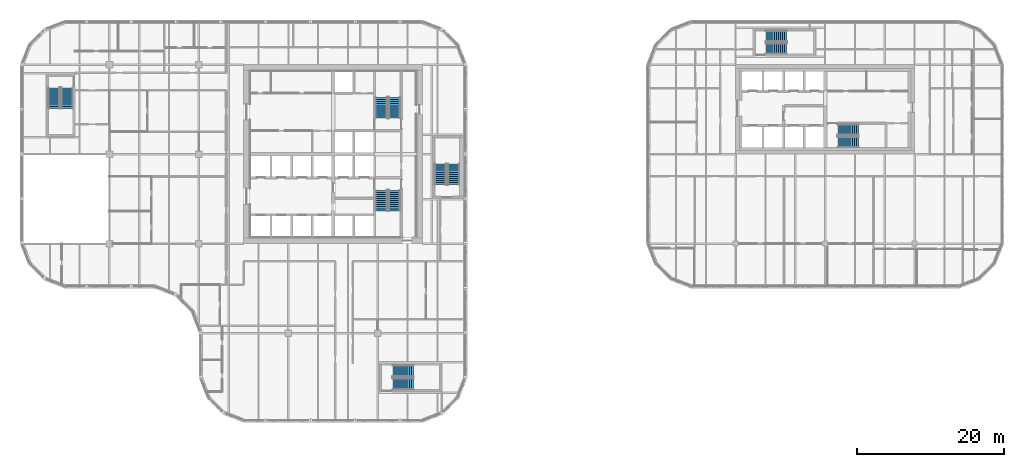
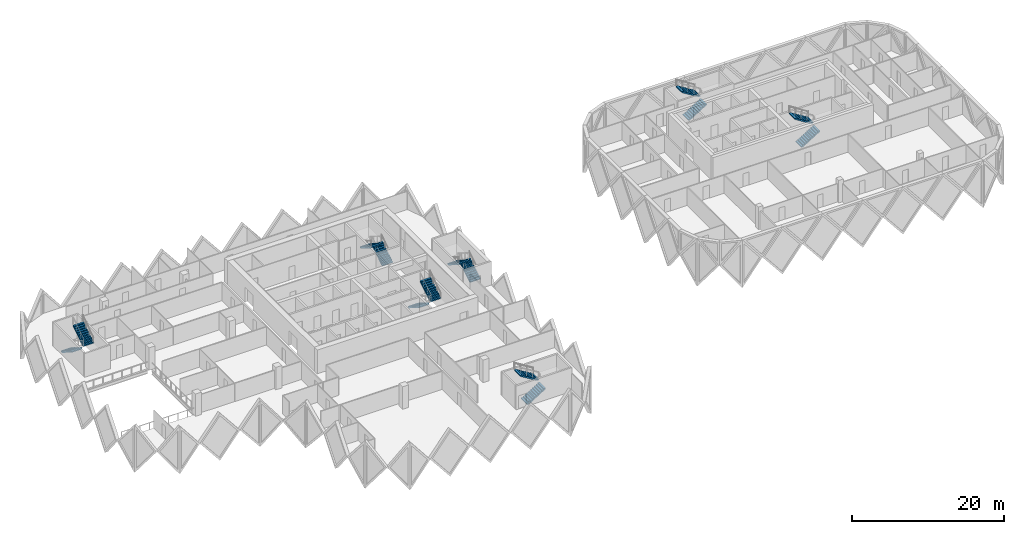
# One storey, part 19 of 21: 14 stair flights, 7 elements without a shape of their own.
"""IFC4 building model written with IfcOpenShell, lengths in metres."""

from ifc_helpers import new_model, si_unit, direction, frame, origin, place, context, subcontext, project, spatial, polyline, outline, extrude, material, type_object, element, aggregate, save


model = new_model("IFC4")

# Units and contexts
model_context = context("Model", 3, precision=1e-05, world=origin(), true_north=direction((0.0, 1.0)))
body_context = subcontext(model_context, "Body", "Model", "MODEL_VIEW")
ifc_project = project(units=[si_unit("LENGTHUNIT", "METRE"), si_unit("AREAUNIT", "SQUARE_METRE"), si_unit("VOLUMEUNIT", "CUBIC_METRE"), si_unit("PLANEANGLEUNIT", "RADIAN"), si_unit("MASSUNIT", "GRAM", prefix="KILO")], contexts=[model_context])

# Site, building, storey
site_placement = place(None, origin())
site = spatial("IfcSite", under=ifc_project, at=site_placement, CompositionType="ELEMENT")
building_placement = place(site_placement, origin())
building = spatial("IfcBuilding", under=site, at=building_placement, Name="Tessera Gate Towers", CompositionType="ELEMENT")
storey_placement = place(building_placement, frame((0.0, 0.0, 91.39990234375)))
storey = spatial("IfcBuildingStorey", under=building, at=storey_placement, Name="L22", CompositionType="ELEMENT", Elevation=91.39990234375)

# Stair, stair flights
ifc_material_1 = material(Name="Concrete C40/50", Category="concrete")
stair_type_1 = type_object("IfcStairType", Name="EXIT STAIR ST1 1600", PredefinedType="HALF_TURN_STAIR", material=ifc_material_1)
stair_1_placement = place(storey_placement, origin())
stair_1 = element("IfcStair", 1, at=stair_1_placement, inside=storey, type_object=stair_type_1, Name="L22 Protected Exit Stair ST1", PredefinedType="HALF_TURN_STAIR")
ifc_material_2 = material(Name="Concrete C40/50", Category="concrete")
stair_flight_type_1 = type_object("IfcStairFlightType", Name="EXIT STAIR FLIGHT ST1 1600", PredefinedType="STRAIGHT", material=ifc_material_2)
stair_flight_1_placement = place(storey_placement, frame((49.27490234375, 31.675048828125, 0.0), z_axis=(0.0, 0.0, 1.0), x_axis=(0.0, -1.0, 0.0)))
stair_flight_1 = element("IfcStairFlight", 2, at=stair_flight_1_placement, type_object=stair_flight_type_1, Name="ST1 flight 1", NumberOfRisers=11, NumberOfTreads=10, PredefinedType="STRAIGHT", RiserHeight=0.172727273, TreadLength=0.28, context=body_context, shape_type="SweptSolid", body=[
    extrude(outline(polyline([(0.0, 0.0), (0.0, 0.172607421875), (0.280029296875, 0.172607421875), (0.280029296875, 0.345458984375), (0.56005859375, 0.345458984375), (0.56005859375, 0.51806640625), (0.840087890625, 0.51806640625), (0.840087890625, 0.69091796875), (1.1201171875, 0.69091796875), (1.1201171875, 0.863525390625), (1.39990234375, 0.863525390625), (1.39990234375, 1.036376953125), (1.679931640625, 1.036376953125), (1.679931640625, 1.208984375), (1.9599609375, 1.208984375), (1.9599609375, 1.3818359375), (2.239990234375, 1.3818359375), (2.239990234375, 1.554443359375), (2.52001953125, 1.554443359375), (2.52001953125, 1.727294921875), (2.800048828125, 1.727294921875), (2.800048828125, 1.89990234375), (2.800048828125, 1.551025390625), (0.285400390625, 0.0), (0.0, 0.0)])), frame((0.0, 0.800048828125, 0.0), z_axis=(0.0, -1.0, 0.0), x_axis=(1.0, 0.0, 0.0)), (0.0, 0.0, 1.0), 1.60009765625),
])
stair_flight_2_placement = place(storey_placement, frame((51.074951171875, 28.875, 1.900146484375), z_axis=(0.0, 0.0, 1.0), x_axis=(0.0, 1.0, 0.0)))
stair_flight_2 = element("IfcStairFlight", 3, at=stair_flight_2_placement, type_object=stair_flight_type_1, Name="ST1 flight 2", NumberOfRisers=11, NumberOfTreads=10, PredefinedType="STRAIGHT", RiserHeight=0.172727273, TreadLength=0.28, context=body_context, shape_type="SweptSolid", body=[
    extrude(outline(polyline([(0.0, 0.0), (0.0, 0.172607421875), (0.280029296875, 0.172607421875), (0.280029296875, 0.345458984375), (0.56005859375, 0.345458984375), (0.56005859375, 0.51806640625), (0.840087890625, 0.51806640625), (0.840087890625, 0.69091796875), (1.1201171875, 0.69091796875), (1.1201171875, 0.863525390625), (1.39990234375, 0.863525390625), (1.39990234375, 1.036376953125), (1.679931640625, 1.036376953125), (1.679931640625, 1.208984375), (1.9599609375, 1.208984375), (1.9599609375, 1.3818359375), (2.239990234375, 1.3818359375), (2.239990234375, 1.554443359375), (2.52001953125, 1.554443359375), (2.52001953125, 1.727294921875), (2.800048828125, 1.727294921875), (2.800048828125, 1.89990234375), (2.800048828125, 1.551025390625), (0.285400390625, 0.0), (0.0, 0.0)])), frame((0.0, 0.800048828125, 0.0), z_axis=(0.0, -1.0, 0.0), x_axis=(1.0, 0.0, 0.0)), (0.0, 0.0, 1.0), 1.60009765625),
])
aggregate(stair_1, [stair_flight_1, stair_flight_2])

ifc_material_3 = material(Name="Concrete C40/50", Category="concrete")
stair_type_2 = type_object("IfcStairType", Name="EXIT STAIR ST2 1600", PredefinedType="HALF_TURN_STAIR", material=ifc_material_3)
stair_2_placement = place(storey_placement, origin())
stair_2 = element("IfcStair", 4, at=stair_2_placement, inside=storey, type_object=stair_type_2, Name="L22 Protected Exit Stair ST2", PredefinedType="HALF_TURN_STAIR")
ifc_material_4 = material(Name="Concrete C40/50", Category="concrete")
stair_flight_type_2 = type_object("IfcStairFlightType", Name="EXIT STAIR FLIGHT ST2 1600", PredefinedType="STRAIGHT", material=ifc_material_4)
stair_flight_3_placement = place(storey_placement, frame((51.074951171875, 41.52490234375, 0.0), z_axis=(0.0, 0.0, 1.0), x_axis=(0.0, 1.0, 0.0)))
stair_flight_3 = element("IfcStairFlight", 5, at=stair_flight_3_placement, type_object=stair_flight_type_2, Name="ST2 flight 1", NumberOfRisers=11, NumberOfTreads=10, PredefinedType="STRAIGHT", RiserHeight=0.172727273, TreadLength=0.28, context=body_context, shape_type="SweptSolid", body=[
    extrude(outline(polyline([(0.0, 0.0), (0.0, 0.172607421875), (0.280029296875, 0.172607421875), (0.280029296875, 0.345458984375), (0.56005859375, 0.345458984375), (0.56005859375, 0.51806640625), (0.840087890625, 0.51806640625), (0.840087890625, 0.69091796875), (1.1201171875, 0.69091796875), (1.1201171875, 0.863525390625), (1.39990234375, 0.863525390625), (1.39990234375, 1.036376953125), (1.679931640625, 1.036376953125), (1.679931640625, 1.208984375), (1.9599609375, 1.208984375), (1.9599609375, 1.3818359375), (2.239990234375, 1.3818359375), (2.239990234375, 1.554443359375), (2.52001953125, 1.554443359375), (2.52001953125, 1.727294921875), (2.800048828125, 1.727294921875), (2.800048828125, 1.89990234375), (2.800048828125, 1.551025390625), (0.285400390625, 0.0), (0.0, 0.0)])), frame((0.0, 0.800048828125, 0.0), z_axis=(0.0, -1.0, 0.0), x_axis=(1.0, 0.0, 0.0)), (0.0, 0.0, 1.0), 1.60009765625),
])
stair_flight_4_placement = place(storey_placement, frame((49.27490234375, 44.324951171875, 1.900146484375), z_axis=(0.0, 0.0, 1.0), x_axis=(0.0, -1.0, 0.0)))
stair_flight_4 = element("IfcStairFlight", 6, at=stair_flight_4_placement, type_object=stair_flight_type_2, Name="ST2 flight 2", NumberOfRisers=11, NumberOfTreads=10, PredefinedType="STRAIGHT", RiserHeight=0.172727273, TreadLength=0.28, context=body_context, shape_type="SweptSolid", body=[
    extrude(outline(polyline([(0.0, 0.0), (0.0, 0.172607421875), (0.280029296875, 0.172607421875), (0.280029296875, 0.345458984375), (0.56005859375, 0.345458984375), (0.56005859375, 0.51806640625), (0.840087890625, 0.51806640625), (0.840087890625, 0.69091796875), (1.1201171875, 0.69091796875), (1.1201171875, 0.863525390625), (1.39990234375, 0.863525390625), (1.39990234375, 1.036376953125), (1.679931640625, 1.036376953125), (1.679931640625, 1.208984375), (1.9599609375, 1.208984375), (1.9599609375, 1.3818359375), (2.239990234375, 1.3818359375), (2.239990234375, 1.554443359375), (2.52001953125, 1.554443359375), (2.52001953125, 1.727294921875), (2.800048828125, 1.727294921875), (2.800048828125, 1.89990234375), (2.800048828125, 1.551025390625), (0.285400390625, 0.0), (0.0, 0.0)])), frame((0.0, 0.800048828125, 0.0), z_axis=(0.0, -1.0, 0.0), x_axis=(1.0, 0.0, 0.0)), (0.0, 0.0, 1.0), 1.60009765625),
])
aggregate(stair_2, [stair_flight_3, stair_flight_4])

ifc_material_5 = material(Name="Concrete C40/50", Category="concrete")
stair_type_3 = type_object("IfcStairType", Name="EXIT STAIR ST3 1600", PredefinedType="HALF_TURN_STAIR", material=ifc_material_5)
stair_3_placement = place(storey_placement, origin())
stair_3 = element("IfcStair", 7, at=stair_3_placement, inside=storey, type_object=stair_type_3, Name="L22 West Exit Stair ST3", PredefinedType="HALF_TURN_STAIR")
ifc_material_6 = material(Name="Concrete C40/50", Category="concrete")
stair_flight_type_3 = type_object("IfcStairFlightType", Name="EXIT STAIR FLIGHT ST3 1600", PredefinedType="STRAIGHT", material=ifc_material_6)
stair_flight_5_placement = place(storey_placement, frame((4.64990234375, 45.64990234375, 0.0), z_axis=(0.0, 0.0, 1.0), x_axis=(0.0, -1.0, 0.0)))
stair_flight_5 = element("IfcStairFlight", 8, at=stair_flight_5_placement, type_object=stair_flight_type_3, Name="ST3 flight 1", NumberOfRisers=11, NumberOfTreads=10, PredefinedType="STRAIGHT", RiserHeight=0.172727273, TreadLength=0.28, context=body_context, shape_type="SweptSolid", body=[
    extrude(outline(polyline([(0.0, 0.0), (0.0, 0.172607421875), (0.280029296875, 0.172607421875), (0.280029296875, 0.345458984375), (0.56005859375, 0.345458984375), (0.56005859375, 0.51806640625), (0.840087890625, 0.51806640625), (0.840087890625, 0.69091796875), (1.1201171875, 0.69091796875), (1.1201171875, 0.863525390625), (1.39990234375, 0.863525390625), (1.39990234375, 1.036376953125), (1.679931640625, 1.036376953125), (1.679931640625, 1.208984375), (1.9599609375, 1.208984375), (1.9599609375, 1.3818359375), (2.239990234375, 1.3818359375), (2.239990234375, 1.554443359375), (2.52001953125, 1.554443359375), (2.52001953125, 1.727294921875), (2.800048828125, 1.727294921875), (2.800048828125, 1.89990234375), (2.800048828125, 1.551025390625), (0.285400390625, 0.0), (0.0, 0.0)])), frame((0.0, 0.800048828125, 0.0), z_axis=(0.0, -1.0, 0.0), x_axis=(1.0, 0.0, 0.0)), (0.0, 0.0, 1.0), 1.60009765625),
])
stair_flight_6_placement = place(storey_placement, frame((6.449951171875, 42.85009765625, 1.900146484375), z_axis=(0.0, 0.0, 1.0), x_axis=(0.0, 1.0, 0.0)))
stair_flight_6 = element("IfcStairFlight", 9, at=stair_flight_6_placement, type_object=stair_flight_type_3, Name="ST3 flight 2", NumberOfRisers=11, NumberOfTreads=10, PredefinedType="STRAIGHT", RiserHeight=0.172727273, TreadLength=0.28, context=body_context, shape_type="SweptSolid", body=[
    extrude(outline(polyline([(0.0, 0.0), (0.0, 0.172607421875), (0.280029296875, 0.172607421875), (0.280029296875, 0.345458984375), (0.56005859375, 0.345458984375), (0.56005859375, 0.51806640625), (0.840087890625, 0.51806640625), (0.840087890625, 0.69091796875), (1.1201171875, 0.69091796875), (1.1201171875, 0.863525390625), (1.39990234375, 0.863525390625), (1.39990234375, 1.036376953125), (1.679931640625, 1.036376953125), (1.679931640625, 1.208984375), (1.9599609375, 1.208984375), (1.9599609375, 1.3818359375), (2.239990234375, 1.3818359375), (2.239990234375, 1.554443359375), (2.52001953125, 1.554443359375), (2.52001953125, 1.727294921875), (2.800048828125, 1.727294921875), (2.800048828125, 1.89990234375), (2.800048828125, 1.551025390625), (0.285400390625, 0.0), (0.0, 0.0)])), frame((0.0, 0.800048828125, 0.0), z_axis=(0.0, -1.0, 0.0), x_axis=(1.0, 0.0, 0.0)), (0.0, 0.0, 1.0), 1.60009765625),
])
aggregate(stair_3, [stair_flight_5, stair_flight_6])

ifc_material_7 = material(Name="Concrete C40/50", Category="concrete")
stair_type_4 = type_object("IfcStairType", Name="EXIT STAIR ST4 1600", PredefinedType="HALF_TURN_STAIR", material=ifc_material_7)
stair_4_placement = place(storey_placement, origin())
stair_4 = element("IfcStair", 10, at=stair_4_placement, inside=storey, type_object=stair_type_4, Name="L22 South Exit Stair ST4", PredefinedType="HALF_TURN_STAIR")
ifc_material_8 = material(Name="Concrete C40/50", Category="concrete")
stair_flight_type_4 = type_object("IfcStairFlightType", Name="EXIT STAIR FLIGHT ST4 1600", PredefinedType="STRAIGHT", material=ifc_material_8)
stair_flight_7_placement = place(storey_placement, frame((50.85009765625, 5.25, 0.0), z_axis=(0.0, 0.0, 1.0), x_axis=(1.0, 0.0, 0.0)))
stair_flight_7 = element("IfcStairFlight", 11, at=stair_flight_7_placement, type_object=stair_flight_type_4, Name="ST4 flight 1", NumberOfRisers=11, NumberOfTreads=10, PredefinedType="STRAIGHT", RiserHeight=0.172727273, TreadLength=0.28, context=body_context, shape_type="SweptSolid", body=[
    extrude(outline(polyline([(0.0, 0.0), (0.0, 0.172607421875), (0.280029296875, 0.172607421875), (0.280029296875, 0.345458984375), (0.56005859375, 0.345458984375), (0.56005859375, 0.51806640625), (0.840087890625, 0.51806640625), (0.840087890625, 0.69091796875), (1.1201171875, 0.69091796875), (1.1201171875, 0.863525390625), (1.39990234375, 0.863525390625), (1.39990234375, 1.036376953125), (1.679931640625, 1.036376953125), (1.679931640625, 1.208984375), (1.9599609375, 1.208984375), (1.9599609375, 1.3818359375), (2.239990234375, 1.3818359375), (2.239990234375, 1.554443359375), (2.52001953125, 1.554443359375), (2.52001953125, 1.727294921875), (2.800048828125, 1.727294921875), (2.800048828125, 1.89990234375), (2.800048828125, 1.551025390625), (0.285400390625, 0.0), (0.0, 0.0)])), frame((0.0, 0.800048828125, 0.0), z_axis=(0.0, -1.0, 0.0), x_axis=(1.0, 0.0, 0.0)), (0.0, 0.0, 1.0), 1.60009765625),
])
stair_flight_8_placement = place(storey_placement, frame((53.64990234375, 7.050048828125, 1.900146484375), z_axis=(0.0, 0.0, 1.0), x_axis=(-1.0, 0.0, 0.0)))
stair_flight_8 = element("IfcStairFlight", 12, at=stair_flight_8_placement, type_object=stair_flight_type_4, Name="ST4 flight 2", NumberOfRisers=11, NumberOfTreads=10, PredefinedType="STRAIGHT", RiserHeight=0.172727273, TreadLength=0.28, context=body_context, shape_type="SweptSolid", body=[
    extrude(outline(polyline([(0.0, 0.0), (0.0, 0.172607421875), (0.280029296875, 0.172607421875), (0.280029296875, 0.345458984375), (0.56005859375, 0.345458984375), (0.56005859375, 0.51806640625), (0.840087890625, 0.51806640625), (0.840087890625, 0.69091796875), (1.1201171875, 0.69091796875), (1.1201171875, 0.863525390625), (1.39990234375, 0.863525390625), (1.39990234375, 1.036376953125), (1.679931640625, 1.036376953125), (1.679931640625, 1.208984375), (1.9599609375, 1.208984375), (1.9599609375, 1.3818359375), (2.239990234375, 1.3818359375), (2.239990234375, 1.554443359375), (2.52001953125, 1.554443359375), (2.52001953125, 1.727294921875), (2.800048828125, 1.727294921875), (2.800048828125, 1.89990234375), (2.800048828125, 1.551025390625), (0.285400390625, 0.0), (0.0, 0.0)])), frame((0.0, 0.800048828125, 0.0), z_axis=(0.0, -1.0, 0.0), x_axis=(1.0, 0.0, 0.0)), (0.0, 0.0, 1.0), 1.60009765625),
])
aggregate(stair_4, [stair_flight_7, stair_flight_8])

ifc_material_9 = material(Name="Concrete C40/50", Category="concrete")
stair_type_5 = type_object("IfcStairType", Name="EXIT STAIR ST5 1600", PredefinedType="HALF_TURN_STAIR", material=ifc_material_9)
stair_5_placement = place(storey_placement, origin())
stair_5 = element("IfcStair", 13, at=stair_5_placement, inside=storey, type_object=stair_type_5, Name="L22 East Exit Stair ST5", PredefinedType="HALF_TURN_STAIR")
ifc_material_10 = material(Name="Concrete C40/50", Category="concrete")
stair_flight_type_5 = type_object("IfcStairFlightType", Name="EXIT STAIR FLIGHT ST5 1600", PredefinedType="STRAIGHT", material=ifc_material_10)
stair_flight_9_placement = place(storey_placement, frame((59.14990234375, 32.449951171875, 0.0), z_axis=(0.0, 0.0, 1.0), x_axis=(0.0, 1.0, 0.0)))
stair_flight_9 = element("IfcStairFlight", 14, at=stair_flight_9_placement, type_object=stair_flight_type_5, Name="ST5 flight 1", NumberOfRisers=11, NumberOfTreads=10, PredefinedType="STRAIGHT", RiserHeight=0.172727273, TreadLength=0.28, context=body_context, shape_type="SweptSolid", body=[
    extrude(outline(polyline([(0.0, 0.0), (0.0, 0.172607421875), (0.280029296875, 0.172607421875), (0.280029296875, 0.345458984375), (0.56005859375, 0.345458984375), (0.56005859375, 0.51806640625), (0.840087890625, 0.51806640625), (0.840087890625, 0.69091796875), (1.1201171875, 0.69091796875), (1.1201171875, 0.863525390625), (1.39990234375, 0.863525390625), (1.39990234375, 1.036376953125), (1.679931640625, 1.036376953125), (1.679931640625, 1.208984375), (1.9599609375, 1.208984375), (1.9599609375, 1.3818359375), (2.239990234375, 1.3818359375), (2.239990234375, 1.554443359375), (2.52001953125, 1.554443359375), (2.52001953125, 1.727294921875), (2.800048828125, 1.727294921875), (2.800048828125, 1.89990234375), (2.800048828125, 1.551025390625), (0.285400390625, 0.0), (0.0, 0.0)])), frame((0.0, 0.800048828125, 0.0), z_axis=(0.0, -1.0, 0.0), x_axis=(1.0, 0.0, 0.0)), (0.0, 0.0, 1.0), 1.60009765625),
])
stair_flight_10_placement = place(storey_placement, frame((57.35009765625, 35.25, 1.900146484375), z_axis=(0.0, 0.0, 1.0), x_axis=(0.0, -1.0, 0.0)))
stair_flight_10 = element("IfcStairFlight", 15, at=stair_flight_10_placement, type_object=stair_flight_type_5, Name="ST5 flight 2", NumberOfRisers=11, NumberOfTreads=10, PredefinedType="STRAIGHT", RiserHeight=0.172727273, TreadLength=0.28, context=body_context, shape_type="SweptSolid", body=[
    extrude(outline(polyline([(0.0, 0.0), (0.0, 0.172607421875), (0.280029296875, 0.172607421875), (0.280029296875, 0.345458984375), (0.56005859375, 0.345458984375), (0.56005859375, 0.51806640625), (0.840087890625, 0.51806640625), (0.840087890625, 0.69091796875), (1.1201171875, 0.69091796875), (1.1201171875, 0.863525390625), (1.39990234375, 0.863525390625), (1.39990234375, 1.036376953125), (1.679931640625, 1.036376953125), (1.679931640625, 1.208984375), (1.9599609375, 1.208984375), (1.9599609375, 1.3818359375), (2.239990234375, 1.3818359375), (2.239990234375, 1.554443359375), (2.52001953125, 1.554443359375), (2.52001953125, 1.727294921875), (2.800048828125, 1.727294921875), (2.800048828125, 1.89990234375), (2.800048828125, 1.551025390625), (0.285400390625, 0.0), (0.0, 0.0)])), frame((0.0, 0.800048828125, 0.0), z_axis=(0.0, -1.0, 0.0), x_axis=(1.0, 0.0, 0.0)), (0.0, 0.0, 1.0), 1.60009765625),
])
aggregate(stair_5, [stair_flight_9, stair_flight_10])

ifc_material_11 = material(Name="Concrete C40/50", Category="concrete")
stair_type_6 = type_object("IfcStairType", Name="EXIT STAIR ST6 1500", PredefinedType="HALF_TURN_STAIR", material=ifc_material_11)
stair_6_placement = place(storey_placement, origin())
stair_6 = element("IfcStair", 16, at=stair_6_placement, inside=storey, type_object=stair_type_6, Name="L22 Protected Exit Stair ST6", PredefinedType="HALF_TURN_STAIR")
ifc_material_12 = material(Name="Concrete C40/50", Category="concrete")
stair_flight_type_6 = type_object("IfcStairFlightType", Name="EXIT STAIR FLIGHT ST6 1500", PredefinedType="STRAIGHT", material=ifc_material_12)
stair_flight_11_placement = place(storey_placement, frame((111.550048828125, 38.25, 0.0), z_axis=(0.0, 0.0, 1.0), x_axis=(1.0, 0.0, 0.0)))
stair_flight_11 = element("IfcStairFlight", 17, at=stair_flight_11_placement, type_object=stair_flight_type_6, Name="ST6 flight 1", NumberOfRisers=11, NumberOfTreads=10, PredefinedType="STRAIGHT", RiserHeight=0.172727273, TreadLength=0.28, context=body_context, shape_type="SweptSolid", body=[
    extrude(outline(polyline([(0.0, 0.0), (0.0, 0.172607421875), (0.280029296875, 0.172607421875), (0.280029296875, 0.345458984375), (0.56005859375, 0.345458984375), (0.56005859375, 0.51806640625), (0.840087890625, 0.51806640625), (0.840087890625, 0.69091796875), (1.1201171875, 0.69091796875), (1.1201171875, 0.863525390625), (1.39990234375, 0.863525390625), (1.39990234375, 1.036376953125), (1.679931640625, 1.036376953125), (1.679931640625, 1.208984375), (1.9599609375, 1.208984375), (1.9599609375, 1.3818359375), (2.239990234375, 1.3818359375), (2.239990234375, 1.554443359375), (2.52001953125, 1.554443359375), (2.52001953125, 1.727294921875), (2.800048828125, 1.727294921875), (2.800048828125, 1.89990234375), (2.800048828125, 1.551025390625), (0.285400390625, 0.0), (0.0, 0.0)])), frame((0.0, 0.75, 0.0), z_axis=(0.0, -1.0, 0.0), x_axis=(1.0, 0.0, 0.0)), (0.0, 0.0, 1.0), 1.5),
])
stair_flight_12_placement = place(storey_placement, frame((114.35009765625, 39.949951171875, 1.900146484375), z_axis=(0.0, 0.0, 1.0), x_axis=(-1.0, 0.0, 0.0)))
stair_flight_12 = element("IfcStairFlight", 18, at=stair_flight_12_placement, type_object=stair_flight_type_6, Name="ST6 flight 2", NumberOfRisers=11, NumberOfTreads=10, PredefinedType="STRAIGHT", RiserHeight=0.172727273, TreadLength=0.28, context=body_context, shape_type="SweptSolid", body=[
    extrude(outline(polyline([(0.0, 0.0), (0.0, 0.172607421875), (0.280029296875, 0.172607421875), (0.280029296875, 0.345458984375), (0.56005859375, 0.345458984375), (0.56005859375, 0.51806640625), (0.840087890625, 0.51806640625), (0.840087890625, 0.69091796875), (1.1201171875, 0.69091796875), (1.1201171875, 0.863525390625), (1.39990234375, 0.863525390625), (1.39990234375, 1.036376953125), (1.679931640625, 1.036376953125), (1.679931640625, 1.208984375), (1.9599609375, 1.208984375), (1.9599609375, 1.3818359375), (2.239990234375, 1.3818359375), (2.239990234375, 1.554443359375), (2.52001953125, 1.554443359375), (2.52001953125, 1.727294921875), (2.800048828125, 1.727294921875), (2.800048828125, 1.89990234375), (2.800048828125, 1.551025390625), (0.285400390625, 0.0), (0.0, 0.0)])), frame((0.0, 0.75, 0.0), z_axis=(0.0, -1.0, 0.0), x_axis=(1.0, 0.0, 0.0)), (0.0, 0.0, 1.0), 1.5),
])
aggregate(stair_6, [stair_flight_11, stair_flight_12])

ifc_material_13 = material(Name="Concrete C40/50", Category="concrete")
stair_type_7 = type_object("IfcStairType", Name="EXIT STAIR ST7 1500", PredefinedType="HALF_TURN_STAIR", material=ifc_material_13)
stair_7_placement = place(storey_placement, origin())
stair_7 = element("IfcStair", 19, at=stair_7_placement, inside=storey, type_object=stair_type_7, Name="L22 North Exit Stair ST7", PredefinedType="HALF_TURN_STAIR")
ifc_material_14 = material(Name="Concrete C40/50", Category="concrete")
stair_flight_type_7 = type_object("IfcStairFlightType", Name="EXIT STAIR FLIGHT ST7 1500", PredefinedType="STRAIGHT", material=ifc_material_14)
stair_flight_13_placement = place(storey_placement, frame((101.75, 51.0, 0.0), z_axis=(0.0, 0.0, 1.0), x_axis=(1.0, 0.0, 0.0)))
stair_flight_13 = element("IfcStairFlight", 20, at=stair_flight_13_placement, type_object=stair_flight_type_7, Name="ST7 flight 1", NumberOfRisers=11, NumberOfTreads=10, PredefinedType="STRAIGHT", RiserHeight=0.172727273, TreadLength=0.28, context=body_context, shape_type="SweptSolid", body=[
    extrude(outline(polyline([(0.0, 0.0), (0.0, 0.172607421875), (0.280029296875, 0.172607421875), (0.280029296875, 0.345458984375), (0.56005859375, 0.345458984375), (0.56005859375, 0.51806640625), (0.840087890625, 0.51806640625), (0.840087890625, 0.69091796875), (1.1201171875, 0.69091796875), (1.1201171875, 0.863525390625), (1.39990234375, 0.863525390625), (1.39990234375, 1.036376953125), (1.679931640625, 1.036376953125), (1.679931640625, 1.208984375), (1.9599609375, 1.208984375), (1.9599609375, 1.3818359375), (2.239990234375, 1.3818359375), (2.239990234375, 1.554443359375), (2.52001953125, 1.554443359375), (2.52001953125, 1.727294921875), (2.800048828125, 1.727294921875), (2.800048828125, 1.89990234375), (2.800048828125, 1.551025390625), (0.285400390625, 0.0), (0.0, 0.0)])), frame((0.0, 0.75, 0.0), z_axis=(0.0, -1.0, 0.0), x_axis=(1.0, 0.0, 0.0)), (0.0, 0.0, 1.0), 1.5),
])
stair_flight_14_placement = place(storey_placement, frame((104.550048828125, 52.699951171875, 1.900146484375), z_axis=(0.0, 0.0, 1.0), x_axis=(-1.0, 0.0, 0.0)))
stair_flight_14 = element("IfcStairFlight", 21, at=stair_flight_14_placement, type_object=stair_flight_type_7, Name="ST7 flight 2", NumberOfRisers=11, NumberOfTreads=10, PredefinedType="STRAIGHT", RiserHeight=0.172727273, TreadLength=0.28, context=body_context, shape_type="SweptSolid", body=[
    extrude(outline(polyline([(0.0, 0.0), (0.0, 0.172607421875), (0.280029296875, 0.172607421875), (0.280029296875, 0.345458984375), (0.56005859375, 0.345458984375), (0.56005859375, 0.51806640625), (0.840087890625, 0.51806640625), (0.840087890625, 0.69091796875), (1.1201171875, 0.69091796875), (1.1201171875, 0.863525390625), (1.39990234375, 0.863525390625), (1.39990234375, 1.036376953125), (1.679931640625, 1.036376953125), (1.679931640625, 1.208984375), (1.9599609375, 1.208984375), (1.9599609375, 1.3818359375), (2.239990234375, 1.3818359375), (2.239990234375, 1.554443359375), (2.52001953125, 1.554443359375), (2.52001953125, 1.727294921875), (2.800048828125, 1.727294921875), (2.800048828125, 1.89990234375), (2.800048828125, 1.551025390625), (0.285400390625, 0.0), (0.0, 0.0)])), frame((0.0, 0.75, 0.0), z_axis=(0.0, -1.0, 0.0), x_axis=(1.0, 0.0, 0.0)), (0.0, 0.0, 1.0), 1.5),
])
aggregate(stair_7, [stair_flight_13, stair_flight_14])

save(model, "model.ifc")
